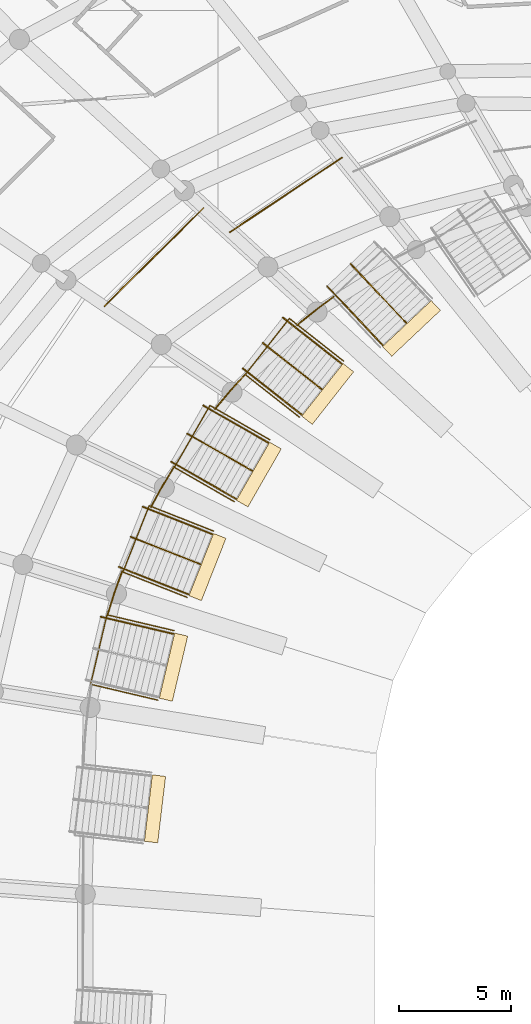
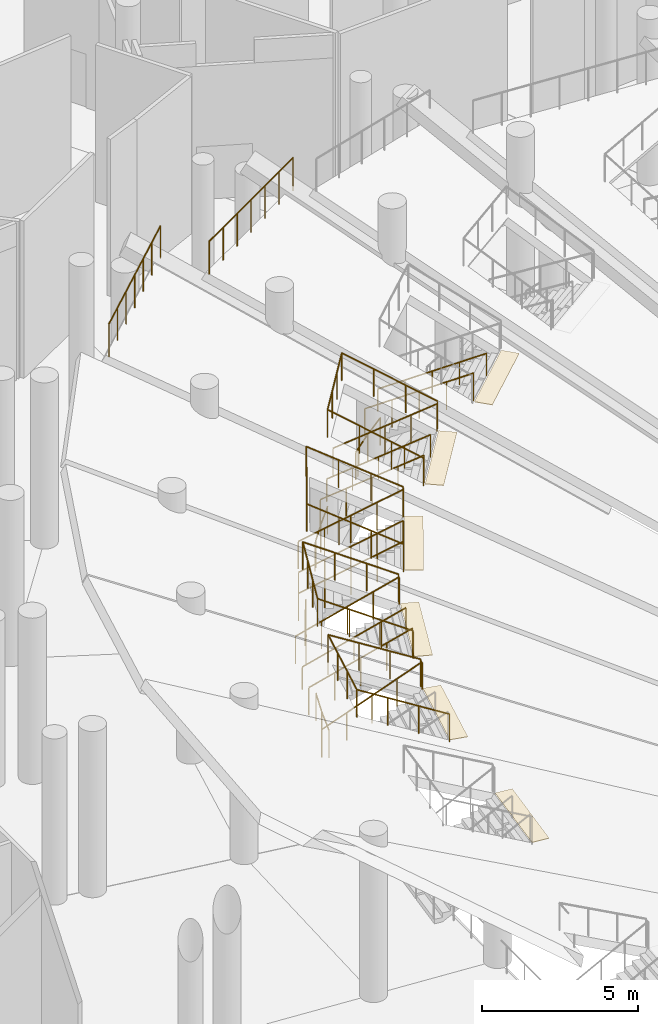
# One storey, part 229 of 255: 22 railings, 6 coverings.
"""IFC4 building model written with IfcOpenShell, lengths in metres."""

from ifc_helpers import new_model, si_unit, direction, frame, origin, origin_2d, place, context, subcontext, project, spatial, rectangle, circle, extrude, material, layer, layer_set, type_object, element, save


model = new_model("IFC4")

# Units and contexts
model_context = context("Model", 3, precision=1e-05, world=origin(), true_north=direction((0.0, 1.0)))
body_context = subcontext(model_context, "Body", "Model", "MODEL_VIEW")
ifc_project = project(units=[si_unit("LENGTHUNIT", "METRE"), si_unit("AREAUNIT", "SQUARE_METRE"), si_unit("VOLUMEUNIT", "CUBIC_METRE"), si_unit("PLANEANGLEUNIT", "RADIAN"), si_unit("MASSUNIT", "GRAM", prefix="KILO")], contexts=[model_context])

# Site, building, storey
site_placement = place(None, origin())
site = spatial("IfcSite", under=ifc_project, at=site_placement, CompositionType="ELEMENT")
building_placement = place(site_placement, origin())
building = spatial("IfcBuilding", under=site, at=building_placement, Name="Meseta Stadium", CompositionType="ELEMENT")
storey_placement = place(building_placement, origin())
storey = spatial("IfcBuildingStorey", under=building, at=storey_placement, Name="L00", CompositionType="ELEMENT", Elevation=0.0)

# Railings
ifc_material_1 = material(Name="Steel S355", Category="steel")
railing_type_1 = type_object("IfcRailingType", Name="Plate edge guard 1100", PredefinedType="GUARDRAIL", material=ifc_material_1)
railing_1_placement = place(storey_placement, frame((-42.8271484375, 67.154296875, 0.0)))
element("IfcRailing", 1, at=railing_1_placement, inside=storey, type_object=railing_type_1, Name="L00 inner edge guard 25", PredefinedType="GUARDRAIL", context=body_context, shape_type="SweptSolid", body=[
    extrude(circle(Radius=0.02490234375, at=origin_2d()), frame((0.0, 0.0, 1.0751953125), z_axis=(-0.802947355475, -0.596049951208, 0.0), x_axis=(0.596049951208, -0.802947355475, 0.0)), (0.0, 0.0, 1.0), 1.000732421875),
    extrude(circle(Radius=0.02490234375, at=origin_2d()), frame((-0.803466796875, -0.596435546875, 1.0751953125), z_axis=(-0.780706207846, -0.624898245341, 0.0), x_axis=(0.624898245341, -0.780706207846, 0.0)), (0.0, 0.0, 1.0), 0.879150390625),
    extrude(circle(Radius=0.02490234375, at=origin_2d()), frame((-1.48974609375, -1.145751953125, 1.0751953125), z_axis=(-0.759865787374, -0.650079983678, 0.0), x_axis=(0.650079983678, -0.759865787374, 0.0)), (0.0, 0.0, 1.0), 0.197998046875),
    extrude(circle(Radius=0.02001953125, at=origin_2d()), origin(), (0.0, 0.0, 1.0), 1.050048828125),
    extrude(circle(Radius=0.02001953125, at=origin_2d()), frame((-0.803466796875, -0.596435546875, 0.0)), (0.0, 0.0, 1.0), 1.050048828125),
    extrude(circle(Radius=0.02001953125, at=origin_2d()), frame((-1.48974609375, -1.145751953125, 0.0)), (0.0, 0.0, 1.0), 1.050048828125),
    extrude(circle(Radius=0.02001953125, at=origin_2d()), frame((-1.64013671875, -1.2744140625, 0.0)), (0.0, 0.0, 1.0), 1.050048828125),
])
railing_2_placement = place(storey_placement, frame((-46.7734375, 63.698486328125, 0.0)))
element("IfcRailing", 2, at=railing_2_placement, inside=storey, type_object=railing_type_1, Name="L00 inner edge guard 26", PredefinedType="GUARDRAIL", context=body_context, shape_type="SweptSolid", body=[
    extrude(circle(Radius=0.02490234375, at=origin_2d()), frame((0.0, 0.0, 1.0751953125), z_axis=(-0.67218256461, -0.740385440047, 0.0), x_axis=(0.740385440047, -0.67218256461, 0.0)), (0.0, 0.0, 1.0), 1.0166015625),
    extrude(circle(Radius=0.02490234375, at=origin_2d()), frame((-0.683349609375, -0.752685546875, 1.0751953125), z_axis=(-0.64414431416, -0.76490398256, 0.0), x_axis=(0.76490398256, -0.64414431416, 0.0)), (0.0, 0.0, 1.0), 0.87744140625),
    extrude(circle(Radius=0.02490234375, at=origin_2d()), frame((-1.24853515625, -1.423828125, 1.0751953125), z_axis=(-0.619198945774, -0.78523414696, 0.0), x_axis=(0.78523414696, -0.619198945774, 0.0)), (0.0, 0.0, 1.0), 0.195556640625),
    extrude(circle(Radius=0.02001953125, at=origin_2d()), origin(), (0.0, 0.0, 1.0), 1.050048828125),
    extrude(circle(Radius=0.02001953125, at=origin_2d()), frame((-0.683349609375, -0.752685546875, 0.0)), (0.0, 0.0, 1.0), 1.050048828125),
    extrude(circle(Radius=0.02001953125, at=origin_2d()), frame((-1.24853515625, -1.423828125, 0.0)), (0.0, 0.0, 1.0), 1.050048828125),
    extrude(circle(Radius=0.02001953125, at=origin_2d()), frame((-1.36962890625, -1.577392578125, 0.0)), (0.0, 0.0, 1.0), 1.050048828125),
])
railing_3_placement = place(storey_placement, frame((-49.970703125, 59.54931640625, 0.0)))
element("IfcRailing", 3, at=railing_3_placement, inside=storey, type_object=railing_type_1, Name="L00 inner edge guard 27", PredefinedType="GUARDRAIL", context=body_context, shape_type="SweptSolid", body=[
    extrude(circle(Radius=0.02490234375, at=origin_2d()), frame((0.0, 0.0, 1.0751953125), z_axis=(-0.515642650874, -0.856803744506, 0.0), x_axis=(0.856803744506, -0.515642650874, 0.0)), (0.0, 0.0, 1.0), 1.03271484375),
    extrude(circle(Radius=0.02490234375, at=origin_2d()), frame((-0.532470703125, -0.884765625, 1.0751953125), z_axis=(-0.478162381039, -0.878271448562, 0.0), x_axis=(0.878271448562, -0.478162381039, 0.0)), (0.0, 0.0, 1.0), 1.066650390625),
    extrude(circle(Radius=0.02001953125, at=origin_2d()), origin(), (0.0, 0.0, 1.0), 1.050048828125),
    extrude(circle(Radius=0.02001953125, at=origin_2d()), frame((-0.532470703125, -0.884765625, 0.0)), (0.0, 0.0, 1.0), 1.050048828125),
    extrude(circle(Radius=0.02001953125, at=origin_2d()), frame((-1.04248046875, -1.821533203125, 0.0)), (0.0, 0.0, 1.0), 1.050048828125),
])
railing_4_placement = place(storey_placement, frame((-52.302001953125, 54.860595703125, 0.0)))
element("IfcRailing", 4, at=railing_4_placement, inside=storey, type_object=railing_type_1, Name="L00 inner edge guard 28", PredefinedType="GUARDRAIL", context=body_context, shape_type="SweptSolid", body=[
    extrude(circle(Radius=0.02490234375, at=origin_2d()), frame((0.0, 0.0, 1.0751953125), z_axis=(-0.339552833225, -0.940586983457, 0.0), x_axis=(0.940586983457, -0.339552833225, 0.0)), (0.0, 0.0, 1.0), 1.047607421875),
    extrude(circle(Radius=0.02490234375, at=origin_2d()), frame((-0.355712890625, -0.9853515625, 1.0751953125), z_axis=(-0.298367036713, -0.954451209546, 0.0), x_axis=(0.954451209546, -0.298367036713, 0.0)), (0.0, 0.0, 1.0), 1.05712890625),
    extrude(circle(Radius=0.02001953125, at=origin_2d()), origin(), (0.0, 0.0, 1.0), 1.050048828125),
    extrude(circle(Radius=0.02001953125, at=origin_2d()), frame((-0.355712890625, -0.9853515625, 0.0)), (0.0, 0.0, 1.0), 1.050048828125),
    extrude(circle(Radius=0.02001953125, at=origin_2d()), frame((-0.671142578125, -1.994384765625, 0.0)), (0.0, 0.0, 1.0), 1.050048828125),
])
ifc_material_2 = material(Name="Steel S355", Category="steel")
railing_type_2 = type_object("IfcRailingType", Name="Stand rear guard 1300", PredefinedType="GUARDRAIL", material=ifc_material_2)
railing_5_placement = place(storey_placement, frame((-42.447265625, 73.399169921875, 6.04638671875)))
element("IfcRailing", 5, at=railing_5_placement, inside=storey, type_object=railing_type_2, Name="Stand lower tier rear guard bay 24", PredefinedType="GUARDRAIL", context=body_context, shape_type="SweptSolid", body=[
    extrude(circle(Radius=0.02490234375, at=origin_2d()), frame((0.0, 0.0, 1.27490234375), z_axis=(-0.829949257802, -0.551191978822, 0.085858208435), x_axis=(0.553234872584, -0.833025315196, 0.0)), (0.0, 0.0, 1.0), 6.0625),
    extrude(circle(Radius=0.02001953125, at=origin_2d()), origin(), (0.0, 0.0, 1.0), 1.25),
    extrude(circle(Radius=0.02001953125, at=origin_2d()), frame((-0.838623046875, -0.556884765625, 0.086669921875)), (0.0, 0.0, 1.0), 1.25),
    extrude(circle(Radius=0.02001953125, at=origin_2d()), frame((-1.67724609375, -1.11376953125, 0.173583984375)), (0.0, 0.0, 1.0), 1.25),
    extrude(circle(Radius=0.02001953125, at=origin_2d()), frame((-2.515625, -1.6708984375, 0.26025390625)), (0.0, 0.0, 1.0), 1.25),
    extrude(circle(Radius=0.02001953125, at=origin_2d()), frame((-3.354248046875, -2.227783203125, 0.346923828125)), (0.0, 0.0, 1.0), 1.25),
    extrude(circle(Radius=0.02001953125, at=origin_2d()), frame((-4.19287109375, -2.78466796875, 0.433837890625)), (0.0, 0.0, 1.0), 1.25),
    extrude(circle(Radius=0.02001953125, at=origin_2d()), frame((-5.031494140625, -3.341552734375, 0.5205078125)), (0.0, 0.0, 1.0), 1.25),
])
railing_6_placement = place(storey_placement, frame((-48.658935546875, 71.137939453125, 6.924072265625)))
element("IfcRailing", 6, at=railing_6_placement, inside=storey, type_object=railing_type_2, Name="Stand lower tier rear guard bay 25", PredefinedType="GUARDRAIL", context=body_context, shape_type="SweptSolid", body=[
    extrude(circle(Radius=0.02490234375, at=origin_2d()), frame((0.0, 0.0, 1.27490234375), z_axis=(-0.709200353402, -0.702182813761, 0.063040897776), x_axis=(0.703582278008, -0.710613803745, 0.0)), (0.0, 0.0, 1.0), 6.26220703125),
    extrude(circle(Radius=0.02001953125, at=origin_2d()), origin(), (0.0, 0.0, 1.0), 1.25),
    extrude(circle(Radius=0.02001953125, at=origin_2d()), frame((-0.740234375, -0.73291015625, 0.06591796875)), (0.0, 0.0, 1.0), 1.25),
    extrude(circle(Radius=0.02001953125, at=origin_2d()), frame((-1.48046875, -1.4658203125, 0.131591796875)), (0.0, 0.0, 1.0), 1.25),
    extrude(circle(Radius=0.02001953125, at=origin_2d()), frame((-2.220703125, -2.19873046875, 0.197265625)), (0.0, 0.0, 1.0), 1.25),
    extrude(circle(Radius=0.02001953125, at=origin_2d()), frame((-2.960693359375, -2.931396484375, 0.26318359375)), (0.0, 0.0, 1.0), 1.25),
    extrude(circle(Radius=0.02001953125, at=origin_2d()), frame((-3.700927734375, -3.664306640625, 0.3291015625)), (0.0, 0.0, 1.0), 1.25),
    extrude(circle(Radius=0.02001953125, at=origin_2d()), frame((-4.441162109375, -4.397216796875, 0.394775390625)), (0.0, 0.0, 1.0), 1.25),
])

# Coverings
ifc_material_3 = material(Name="Stone paving", Category="masonry")
ifc_layer = layer(ifc_material_3, 0.02001953125)
ifc_layer_set = layer_set([ifc_layer], Name="Vomitory exit threshold plate 20")
covering_type = type_object("IfcCoveringType", Name="Vomitory exit threshold plate 20", PredefinedType="FLOORING", material=ifc_layer_set)
for number, where, z_axis, x_axis, name in (
    (7, (-39.334716796875, 65.739013671875, 2.26904296875), (0.0, 0.0, 1.0), (0.686064733008, -0.72754050205, 0.0), "Vomitory V-lower-24 exit threshold"),
    (8, (-43.09228515625, 62.8017578125, 2.21875), (0.0, 0.0, 1.0), (0.786141751877, -0.618046232862, 0.0), "Vomitory V-lower-25 exit threshold"),
    (9, (-46.180908203125, 59.187744140625, 2.168212890625), (0.0, 0.0, 1.0), (0.867711670531, -0.497067859376, 0.0), "Vomitory V-lower-26 exit threshold"),
    (10, (-48.48193359375, 55.041748046875, 2.11767578125), (0.0, 0.0, 1.0), (0.930263326339, -0.366892550576, 0.0), "Vomitory V-lower-27 exit threshold"),
    (11, (-50.00439453125, 50.55224609375, 2.11767578125), (0.0, 0.0, 1.0), (0.973256309483, -0.229721910255, 0.0), "Vomitory V-lower-28 exit threshold"),
    (12, (-50.83349609375, 44.199951171875, 2.228515625), (0.0, 0.0, 1.0), (0.993015017931, -0.117988025512, 0.0), "Vomitory V-lower-29 exit threshold"),
):
    element("IfcCovering", number, at=place(storey_placement, frame(where, z_axis=z_axis, x_axis=x_axis)), inside=storey, type_object=covering_type, Name=name, PredefinedType="FLOORING", context=body_context, shape_type="SweptSolid", body=[
        extrude(rectangle(XDim=0.60009765625, YDim=3.0, at=origin_2d()), origin(), (0.0, 0.0, 1.0), 0.02001953125),
    ])

# Railings
ifc_material_4 = material(Name="Steel S355", Category="steel")
railing_type_3 = type_object("IfcRailingType", Name="Vomitory slot guard 1100", PredefinedType="GUARDRAIL", material=ifc_material_4)
railing_7_placement = place(storey_placement, frame((-44.349609375, 61.7548828125, 2.23876953125)))
element("IfcRailing", 13, at=railing_7_placement, inside=storey, type_object=railing_type_3, Name="Vomitory V-lower-25 slot guard", PredefinedType="GUARDRAIL", context=body_context, shape_type="SweptSolid", body=[
    extrude(circle(Radius=0.02490234375, at=origin_2d()), frame((0.0, 0.0, 1.0751953125), z_axis=(-0.700355252069, 0.550559773891, 0.454297761686), x_axis=(-0.618016316891, -0.786165270193, 0.0)), (0.0, 0.0, 1.0), 3.479736328125),
    extrude(circle(Radius=0.02490234375, at=origin_2d()), frame((-2.43701171875, 1.915771484375, 2.65576171875), z_axis=(0.618057385598, 0.78613298373, 0.0), x_axis=(-0.78613298373, 0.618057385598, 0.0)), (0.0, 0.0, 1.0), 3.199951171875),
    extrude(circle(Radius=0.02490234375, at=origin_2d()), frame((-0.459228515625, 4.431396484375, 2.65576171875), z_axis=(0.700355252069, -0.550559773891, -0.454297761686), x_axis=(0.618016316891, 0.786165270193, 0.0)), (0.0, 0.0, 1.0), 3.479736328125),
    extrude(circle(Radius=0.02001953125, at=origin_2d()), origin(), (0.0, 0.0, 1.0), 1.050048828125),
    extrude(circle(Radius=0.02001953125, at=origin_2d()), frame((-0.812255859375, 0.638671875, 0.52685546875)), (0.0, 0.0, 1.0), 1.050048828125),
    extrude(circle(Radius=0.02001953125, at=origin_2d()), frame((-1.624755859375, 1.277099609375, 1.053955078125)), (0.0, 0.0, 1.0), 1.050048828125),
    extrude(circle(Radius=0.02001953125, at=origin_2d()), frame((-2.43701171875, 1.915771484375, 1.580810546875)), (0.0, 0.0, 1.0), 1.050048828125),
    extrude(circle(Radius=0.02001953125, at=origin_2d()), frame((-1.77783203125, 2.75439453125, 1.580810546875)), (0.0, 0.0, 1.0), 1.050048828125),
    extrude(circle(Radius=0.02001953125, at=origin_2d()), frame((-1.118408203125, 3.5927734375, 1.580810546875)), (0.0, 0.0, 1.0), 1.050048828125),
    extrude(circle(Radius=0.02001953125, at=origin_2d()), frame((-0.459228515625, 4.431396484375, 1.580810546875)), (0.0, 0.0, 1.0), 1.050048828125),
    extrude(circle(Radius=0.02001953125, at=origin_2d()), frame((0.35302734375, 3.792724609375, 1.053955078125)), (0.0, 0.0, 1.0), 1.050048828125),
    extrude(circle(Radius=0.02001953125, at=origin_2d()), frame((1.16552734375, 3.154296875, 0.52685546875)), (0.0, 0.0, 1.0), 1.050048828125),
    extrude(circle(Radius=0.02001953125, at=origin_2d()), frame((1.977783203125, 2.515625, 0.0)), (0.0, 0.0, 1.0), 1.050048828125),
])
railing_8_placement = place(storey_placement, frame((-47.272216796875, 57.968994140625, 2.188232421875)))
element("IfcRailing", 14, at=railing_8_placement, inside=storey, type_object=railing_type_3, Name="Vomitory V-lower-26 slot guard", PredefinedType="GUARDRAIL", context=body_context, shape_type="SweptSolid", body=[
    extrude(circle(Radius=0.02490234375, at=origin_2d()), frame((0.0, 0.0, 1.0751953125), z_axis=(-0.772976524141, 0.442823363621, 0.454328913627), x_axis=(-0.497088522993, -0.867699833069, 0.0)), (0.0, 0.0, 1.0), 3.47998046875),
    extrude(circle(Radius=0.02490234375, at=origin_2d()), frame((-2.68994140625, 1.541015625, 2.65625), z_axis=(0.497124557531, 0.867679188583, 0.0), x_axis=(-0.867679188583, 0.497124557531, 0.0)), (0.0, 0.0, 1.0), 3.199951171875),
    extrude(circle(Radius=0.02490234375, at=origin_2d()), frame((-1.09912109375, 4.317626953125, 2.65625), z_axis=(0.773000537129, -0.442766962227, -0.454343027632), x_axis=(0.49702922619, 0.867733800375, 0.0)), (0.0, 0.0, 1.0), 3.47998046875),
    extrude(circle(Radius=0.02001953125, at=origin_2d()), origin(), (0.0, 0.0, 1.0), 1.050048828125),
    extrude(circle(Radius=0.02001953125, at=origin_2d()), frame((-0.896728515625, 0.513671875, 0.527099609375)), (0.0, 0.0, 1.0), 1.050048828125),
    extrude(circle(Radius=0.02001953125, at=origin_2d()), frame((-1.793212890625, 1.02734375, 1.053955078125)), (0.0, 0.0, 1.0), 1.050048828125),
    extrude(circle(Radius=0.02001953125, at=origin_2d()), frame((-2.68994140625, 1.541015625, 1.5810546875)), (0.0, 0.0, 1.0), 1.050048828125),
    extrude(circle(Radius=0.02001953125, at=origin_2d()), frame((-2.15966796875, 2.466552734375, 1.5810546875)), (0.0, 0.0, 1.0), 1.050048828125),
    extrude(circle(Radius=0.02001953125, at=origin_2d()), frame((-1.62939453125, 3.39208984375, 1.5810546875)), (0.0, 0.0, 1.0), 1.050048828125),
    extrude(circle(Radius=0.02001953125, at=origin_2d()), frame((-1.09912109375, 4.317626953125, 1.5810546875)), (0.0, 0.0, 1.0), 1.050048828125),
    extrude(circle(Radius=0.02001953125, at=origin_2d()), frame((-0.202392578125, 3.803955078125, 1.053955078125)), (0.0, 0.0, 1.0), 1.050048828125),
    extrude(circle(Radius=0.02001953125, at=origin_2d()), frame((0.694091796875, 3.29052734375, 0.527099609375)), (0.0, 0.0, 1.0), 1.050048828125),
    extrude(circle(Radius=0.02001953125, at=origin_2d()), frame((1.5908203125, 2.77685546875, 0.0)), (0.0, 0.0, 1.0), 1.050048828125),
])
railing_9_placement = place(storey_placement, frame((-49.38623046875, 53.678466796875, 2.1376953125)))
element("IfcRailing", 15, at=railing_9_placement, inside=storey, type_object=railing_type_3, Name="Vomitory V-lower-27 slot guard", PredefinedType="GUARDRAIL", context=body_context, shape_type="SweptSolid", body=[
    extrude(circle(Radius=0.02490234375, at=origin_2d()), frame((0.0, 0.0, 1.0751953125), z_axis=(-0.828745013514, 0.326853721998, 0.454255816685), x_axis=(-0.366892194359, -0.93026346683, 0.0)), (0.0, 0.0, 1.0), 3.47998046875),
    extrude(circle(Radius=0.02490234375, at=origin_2d()), frame((-2.884033203125, 1.137451171875, 2.65576171875), z_axis=(0.366926787792, 0.930249822575, 0.0), x_axis=(-0.930249822575, 0.366926787792, 0.0)), (0.0, 0.0, 1.0), 3.19970703125),
    extrude(circle(Radius=0.02490234375, at=origin_2d()), frame((-1.7099609375, 4.114013671875, 2.65576171875), z_axis=(0.828742044114, -0.326810061081, -0.454292646092), x_axis=(0.366850918645, 0.930279744748, 0.0)), (0.0, 0.0, 1.0), 3.479736328125),
    extrude(circle(Radius=0.02001953125, at=origin_2d()), origin(), (0.0, 0.0, 1.0), 1.050048828125),
    extrude(circle(Radius=0.02001953125, at=origin_2d()), frame((-0.96142578125, 0.379150390625, 0.52685546875)), (0.0, 0.0, 1.0), 1.050048828125),
    extrude(circle(Radius=0.02001953125, at=origin_2d()), frame((-1.922607421875, 0.75830078125, 1.053955078125)), (0.0, 0.0, 1.0), 1.050048828125),
    extrude(circle(Radius=0.02001953125, at=origin_2d()), frame((-2.884033203125, 1.137451171875, 1.580810546875)), (0.0, 0.0, 1.0), 1.050048828125),
    extrude(circle(Radius=0.02001953125, at=origin_2d()), frame((-2.49267578125, 2.129638671875, 1.580810546875)), (0.0, 0.0, 1.0), 1.050048828125),
    extrude(circle(Radius=0.02001953125, at=origin_2d()), frame((-2.101318359375, 3.121826171875, 1.580810546875)), (0.0, 0.0, 1.0), 1.050048828125),
    extrude(circle(Radius=0.02001953125, at=origin_2d()), frame((-1.7099609375, 4.114013671875, 1.580810546875)), (0.0, 0.0, 1.0), 1.050048828125),
    extrude(circle(Radius=0.02001953125, at=origin_2d()), frame((-0.748779296875, 3.73486328125, 1.053955078125)), (0.0, 0.0, 1.0), 1.050048828125),
    extrude(circle(Radius=0.02001953125, at=origin_2d()), frame((0.212646484375, 3.35595703125, 0.52685546875)), (0.0, 0.0, 1.0), 1.050048828125),
    extrude(circle(Radius=0.02001953125, at=origin_2d()), frame((1.173828125, 2.976806640625, 0.0)), (0.0, 0.0, 1.0), 1.050048828125),
])
railing_10_placement = place(storey_placement, frame((-50.7041015625, 49.073486328125, 2.1376953125)))
element("IfcRailing", 16, at=railing_10_placement, inside=storey, type_object=railing_type_3, Name="Vomitory V-lower-28 slot guard", PredefinedType="GUARDRAIL", context=body_context, shape_type="SweptSolid", body=[
    extrude(circle(Radius=0.02490234375, at=origin_2d()), frame((0.0, 0.0, 1.0751953125), z_axis=(-0.867031302816, 0.204655309137, 0.454282868242), x_axis=(-0.229728447463, -0.973254766454, 0.0)), (0.0, 0.0, 1.0), 3.479736328125),
    extrude(circle(Radius=0.02490234375, at=origin_2d()), frame((-3.01708984375, 0.712158203125, 2.65576171875), z_axis=(0.229732459273, 0.973253819492, 0.0), x_axis=(-0.973253819492, 0.229732459273, 0.0)), (0.0, 0.0, 1.0), 3.199951171875),
    extrude(circle(Radius=0.02490234375, at=origin_2d()), frame((-2.281982421875, 3.826416015625, 2.65576171875), z_axis=(0.867031302816, -0.204655309137, -0.454282868242), x_axis=(0.229728447463, 0.973254766454, 0.0)), (0.0, 0.0, 1.0), 3.479736328125),
    extrude(circle(Radius=0.02001953125, at=origin_2d()), origin(), (0.0, 0.0, 1.0), 1.050048828125),
    extrude(circle(Radius=0.02001953125, at=origin_2d()), frame((-1.005615234375, 0.2373046875, 0.52685546875)), (0.0, 0.0, 1.0), 1.050048828125),
    extrude(circle(Radius=0.02001953125, at=origin_2d()), frame((-2.011474609375, 0.474853515625, 1.053955078125)), (0.0, 0.0, 1.0), 1.050048828125),
    extrude(circle(Radius=0.02001953125, at=origin_2d()), frame((-3.01708984375, 0.712158203125, 1.580810546875)), (0.0, 0.0, 1.0), 1.050048828125),
    extrude(circle(Radius=0.02001953125, at=origin_2d()), frame((-2.77197265625, 1.750244140625, 1.580810546875)), (0.0, 0.0, 1.0), 1.050048828125),
    extrude(circle(Radius=0.02001953125, at=origin_2d()), frame((-2.527099609375, 2.788330078125, 1.580810546875)), (0.0, 0.0, 1.0), 1.050048828125),
    extrude(circle(Radius=0.02001953125, at=origin_2d()), frame((-2.281982421875, 3.826416015625, 1.580810546875)), (0.0, 0.0, 1.0), 1.050048828125),
    extrude(circle(Radius=0.02001953125, at=origin_2d()), frame((-1.2763671875, 3.589111328125, 1.053955078125)), (0.0, 0.0, 1.0), 1.050048828125),
    extrude(circle(Radius=0.02001953125, at=origin_2d()), frame((-0.2705078125, 3.3515625, 0.52685546875)), (0.0, 0.0, 1.0), 1.050048828125),
    extrude(circle(Radius=0.02001953125, at=origin_2d()), frame((0.735107421875, 3.1142578125, 0.0)), (0.0, 0.0, 1.0), 1.050048828125),
])
ifc_material_5 = material(Name="Steel S355", Category="steel")
railing_type_4 = type_object("IfcRailingType", Name="Vomitory stair guard 1100", PredefinedType="GUARDRAIL", material=ifc_material_5)
railing_11_placement = place(storey_placement, frame((-43.120849609375, 67.640869140625, 0.16357421875)))
element("IfcRailing", 17, at=railing_11_placement, inside=storey, type_object=railing_type_4, Name="Vomitory V-lower-24 guard right", PredefinedType="GUARDRAIL", context=body_context, shape_type="SweptSolid", body=[
    extrude(circle(Radius=0.02490234375, at=origin_2d()), frame((0.0, 0.0, 1.0751953125), z_axis=(0.592444720752, -0.628296053447, 0.504235383602), x_axis=(0.727559755057, 0.686044315494, 0.0)), (0.0, 0.0, 1.0), 4.21533203125),
    extrude(circle(Radius=0.02001953125, at=origin_2d()), origin(), (0.0, 0.0, 1.0), 1.050048828125),
    extrude(circle(Radius=0.02001953125, at=origin_2d()), frame((0.624267578125, -0.662109375, 0.53125)), (0.0, 0.0, 1.0), 1.050048828125),
    extrude(circle(Radius=0.02001953125, at=origin_2d()), frame((1.24853515625, -1.32421875, 1.062744140625)), (0.0, 0.0, 1.0), 1.050048828125),
    extrude(circle(Radius=0.02001953125, at=origin_2d()), frame((1.873046875, -1.986328125, 1.59423828125)), (0.0, 0.0, 1.0), 1.050048828125),
    extrude(circle(Radius=0.02001953125, at=origin_2d()), frame((2.497314453125, -2.6484375, 2.12548828125)), (0.0, 0.0, 1.0), 1.050048828125),
])
for number, where, name in (
    (18, (-45.10595703125, 66.229248046875, 0.172119140625), "Vomitory V-lower-25 guard left"),
    (19, (-46.898193359375, 63.949462890625, 0.172119140625), "Vomitory V-lower-25 guard right"),
):
    element("IfcRailing", number, at=place(storey_placement, frame(where)), inside=storey, type_object=railing_type_4, Name=name, PredefinedType="GUARDRAIL", context=body_context, shape_type="SweptSolid", body=[
        extrude(circle(Radius=0.02490234375, at=origin_2d()), frame((0.0, 0.0, 1.0751953125), z_axis=(0.669603580808, -0.526448660537, 0.523911111151), x_axis=(0.61806220124, 0.78612919765, 0.0)), (0.0, 0.0, 1.0), 3.944580078125),
        extrude(circle(Radius=0.02001953125, at=origin_2d()), origin(), (0.0, 0.0, 1.0), 1.050048828125),
        extrude(circle(Radius=0.02001953125, at=origin_2d()), frame((0.660400390625, -0.51904296875, 0.5166015625)), (0.0, 0.0, 1.0), 1.050048828125),
        extrude(circle(Radius=0.02001953125, at=origin_2d()), frame((1.32080078125, -1.038330078125, 1.033203125)), (0.0, 0.0, 1.0), 1.050048828125),
        extrude(circle(Radius=0.02001953125, at=origin_2d()), frame((1.98095703125, -1.5576171875, 1.550048828125)), (0.0, 0.0, 1.0), 1.050048828125),
        extrude(circle(Radius=0.02001953125, at=origin_2d()), frame((2.641357421875, -2.07666015625, 2.066650390625)), (0.0, 0.0, 1.0), 1.050048828125),
    ])
for number, where, name in (
    (20, (-48.671630859375, 62.28564453125, 0.168212890625), "Vomitory V-lower-26 guard left"),
    (21, (-50.113037109375, 59.769287109375, 0.168212890625), "Vomitory V-lower-26 guard right"),
):
    element("IfcRailing", number, at=place(storey_placement, frame(where)), inside=storey, type_object=railing_type_4, Name=name, PredefinedType="GUARDRAIL", context=body_context, shape_type="SweptSolid", body=[
        extrude(circle(Radius=0.02490234375, at=origin_2d()), frame((0.0, 0.0, 1.0751953125), z_axis=(0.743664228434, -0.426009628765, 0.515246845257), x_axis=(0.497069824049, 0.867710545066, 0.0)), (0.0, 0.0, 1.0), 3.92041015625),
        extrude(circle(Radius=0.02001953125, at=origin_2d()), origin(), (0.0, 0.0, 1.0), 1.050048828125),
        extrude(circle(Radius=0.02001953125, at=origin_2d()), frame((0.72900390625, -0.41748046875, 0.5048828125)), (0.0, 0.0, 1.0), 1.050048828125),
        extrude(circle(Radius=0.02001953125, at=origin_2d()), frame((1.457763671875, -0.8349609375, 1.010009765625)), (0.0, 0.0, 1.0), 1.050048828125),
        extrude(circle(Radius=0.02001953125, at=origin_2d()), frame((2.1865234375, -1.252685546875, 1.51513671875)), (0.0, 0.0, 1.0), 1.050048828125),
        extrude(circle(Radius=0.02001953125, at=origin_2d()), frame((2.91552734375, -1.670166015625, 2.02001953125)), (0.0, 0.0, 1.0), 1.050048828125),
    ])
railing_12_placement = place(storey_placement, frame((-51.39306640625, 57.74853515625, 0.164306640625)))
element("IfcRailing", 22, at=railing_12_placement, inside=storey, type_object=railing_type_4, Name="Vomitory V-lower-27 guard left", PredefinedType="GUARDRAIL", context=body_context, shape_type="SweptSolid", body=[
    extrude(circle(Radius=0.02490234375, at=origin_2d()), frame((0.0, 0.0, 1.0751953125), z_axis=(0.802141657054, -0.31639579537, 0.50642123049), x_axis=(0.366926648548, 0.930249877498, 0.0)), (0.0, 0.0, 1.0), 3.896728515625),
    extrude(circle(Radius=0.02001953125, at=origin_2d()), origin(), (0.0, 0.0, 1.0), 1.050048828125),
    extrude(circle(Radius=0.02001953125, at=origin_2d()), frame((0.781494140625, -0.30810546875, 0.493408203125)), (0.0, 0.0, 1.0), 1.050048828125),
    extrude(circle(Radius=0.02001953125, at=origin_2d()), frame((1.56298828125, -0.616455078125, 0.98681640625)), (0.0, 0.0, 1.0), 1.050048828125),
    extrude(circle(Radius=0.02001953125, at=origin_2d()), frame((2.34423828125, -0.9248046875, 1.47998046875)), (0.0, 0.0, 1.0), 1.050048828125),
    extrude(circle(Radius=0.02001953125, at=origin_2d()), frame((3.125732421875, -1.23291015625, 1.973388671875)), (0.0, 0.0, 1.0), 1.050048828125),
])
railing_13_placement = place(storey_placement, frame((-52.45703125, 55.05078125, 0.164306640625)))
element("IfcRailing", 23, at=railing_13_placement, inside=storey, type_object=railing_type_4, Name="Vomitory V-lower-27 guard right", PredefinedType="GUARDRAIL", context=body_context, shape_type="SweptSolid", body=[
    extrude(circle(Radius=0.02490234375, at=origin_2d()), frame((0.0, 0.0, 1.0751953125), z_axis=(0.80215755683, -0.316339412984, 0.506431268598), x_axis=(0.366863769713, 0.930274676895, 0.0)), (0.0, 0.0, 1.0), 3.896728515625),
    extrude(circle(Radius=0.02001953125, at=origin_2d()), origin(), (0.0, 0.0, 1.0), 1.050048828125),
    extrude(circle(Radius=0.02001953125, at=origin_2d()), frame((0.781494140625, -0.30810546875, 0.493408203125)), (0.0, 0.0, 1.0), 1.050048828125),
    extrude(circle(Radius=0.02001953125, at=origin_2d()), frame((1.56298828125, -0.6162109375, 0.98681640625)), (0.0, 0.0, 1.0), 1.050048828125),
    extrude(circle(Radius=0.02001953125, at=origin_2d()), frame((2.34423828125, -0.924560546875, 1.47998046875)), (0.0, 0.0, 1.0), 1.050048828125),
    extrude(circle(Radius=0.02001953125, at=origin_2d()), frame((3.125732421875, -1.232666015625, 1.973388671875)), (0.0, 0.0, 1.0), 1.050048828125),
])
railing_14_placement = place(storey_placement, frame((-53.2734375, 52.813720703125, 0.164306640625)))
element("IfcRailing", 24, at=railing_14_placement, inside=storey, type_object=railing_type_4, Name="Vomitory V-lower-28 guard left", PredefinedType="GUARDRAIL", context=body_context, shape_type="SweptSolid", body=[
    extrude(circle(Radius=0.02490234375, at=origin_2d()), frame((0.0, 0.0, 1.0751953125), z_axis=(0.839205318068, -0.198116112866, 0.50644292862), x_axis=(0.229760182467, 0.973247275132, 0.0)), (0.0, 0.0, 1.0), 3.896484375),
    extrude(circle(Radius=0.02001953125, at=origin_2d()), origin(), (0.0, 0.0, 1.0), 1.050048828125),
    extrude(circle(Radius=0.02001953125, at=origin_2d()), frame((0.8173828125, -0.19287109375, 0.493408203125)), (0.0, 0.0, 1.0), 1.050048828125),
    extrude(circle(Radius=0.02001953125, at=origin_2d()), frame((1.635009765625, -0.385986328125, 0.98681640625)), (0.0, 0.0, 1.0), 1.050048828125),
    extrude(circle(Radius=0.02001953125, at=origin_2d()), frame((2.45263671875, -0.5791015625, 1.47998046875)), (0.0, 0.0, 1.0), 1.050048828125),
    extrude(circle(Radius=0.02001953125, at=origin_2d()), frame((3.27001953125, -0.77197265625, 1.973388671875)), (0.0, 0.0, 1.0), 1.050048828125),
])
ifc_material_6 = material(Name="Steel S355", Category="steel")
railing_type_5 = type_object("IfcRailingType", Name="Vomitory stair handrail 900", PredefinedType="HANDRAIL", material=ifc_material_6)
railing_15_placement = place(storey_placement, frame((-42.06591796875, 68.635498046875, 0.16357421875)))
element("IfcRailing", 25, at=railing_15_placement, inside=storey, type_object=railing_type_5, Name="Vomitory V-lower-24 central handrail", PredefinedType="HANDRAIL", context=body_context, shape_type="SweptSolid", body=[
    extrude(circle(Radius=0.02490234375, at=origin_2d()), frame((0.0, 0.0, 0.875), z_axis=(0.592466279846, -0.628260996919, 0.504253732754), x_axis=(0.727528186472, 0.686077792885, 0.0)), (0.0, 0.0, 1.0), 4.215087890625),
    extrude(circle(Radius=0.02001953125, at=origin_2d()), origin(), (0.0, 0.0, 1.0), 0.849853515625),
    extrude(circle(Radius=0.02001953125, at=origin_2d()), frame((0.624267578125, -0.662109375, 0.53125)), (0.0, 0.0, 1.0), 0.849853515625),
    extrude(circle(Radius=0.02001953125, at=origin_2d()), frame((1.24853515625, -1.32421875, 1.062744140625)), (0.0, 0.0, 1.0), 0.849853515625),
    extrude(circle(Radius=0.02001953125, at=origin_2d()), frame((1.873046875, -1.986083984375, 1.59423828125)), (0.0, 0.0, 1.0), 0.849853515625),
    extrude(circle(Radius=0.02001953125, at=origin_2d()), frame((2.497314453125, -2.648193359375, 2.12548828125)), (0.0, 0.0, 1.0), 0.849853515625),
])
railing_16_placement = place(storey_placement, frame((-46.002197265625, 65.08935546875, 0.172119140625)))
element("IfcRailing", 26, at=railing_16_placement, inside=storey, type_object=railing_type_5, Name="Vomitory V-lower-25 central handrail", PredefinedType="HANDRAIL", context=body_context, shape_type="SweptSolid", body=[
    extrude(circle(Radius=0.02490234375, at=origin_2d()), frame((0.0, 0.0, 0.875), z_axis=(0.66963771993, -0.526426843413, 0.523889399188), x_axis=(0.618026897901, 0.786156952186, 0.0)), (0.0, 0.0, 1.0), 3.94482421875),
    extrude(circle(Radius=0.02001953125, at=origin_2d()), origin(), (0.0, 0.0, 1.0), 0.849853515625),
    extrude(circle(Radius=0.02001953125, at=origin_2d()), frame((0.660400390625, -0.51904296875, 0.5166015625)), (0.0, 0.0, 1.0), 0.849853515625),
    extrude(circle(Radius=0.02001953125, at=origin_2d()), frame((1.32080078125, -1.038330078125, 1.033203125)), (0.0, 0.0, 1.0), 0.849853515625),
    extrude(circle(Radius=0.02001953125, at=origin_2d()), frame((1.981201171875, -1.5576171875, 1.550048828125)), (0.0, 0.0, 1.0), 0.849853515625),
    extrude(circle(Radius=0.02001953125, at=origin_2d()), frame((2.6416015625, -2.07666015625, 2.066650390625)), (0.0, 0.0, 1.0), 0.849853515625),
])
railing_17_placement = place(storey_placement, frame((-49.392333984375, 61.027587890625, 0.168212890625)))
element("IfcRailing", 27, at=railing_17_placement, inside=storey, type_object=railing_type_5, Name="Vomitory V-lower-26 central handrail", PredefinedType="HANDRAIL", context=body_context, shape_type="SweptSolid", body=[
    extrude(circle(Radius=0.02490234375, at=origin_2d()), frame((0.0, 0.0, 0.875), z_axis=(0.743664228434, -0.426009628765, 0.515246845257), x_axis=(0.497069824049, 0.867710545066, 0.0)), (0.0, 0.0, 1.0), 3.92041015625),
    extrude(circle(Radius=0.02001953125, at=origin_2d()), origin(), (0.0, 0.0, 1.0), 0.849853515625),
    extrude(circle(Radius=0.02001953125, at=origin_2d()), frame((0.72900390625, -0.41748046875, 0.5048828125)), (0.0, 0.0, 1.0), 0.849853515625),
    extrude(circle(Radius=0.02001953125, at=origin_2d()), frame((1.457763671875, -0.8349609375, 1.010009765625)), (0.0, 0.0, 1.0), 0.849853515625),
    extrude(circle(Radius=0.02001953125, at=origin_2d()), frame((2.1865234375, -1.252685546875, 1.51513671875)), (0.0, 0.0, 1.0), 0.849853515625),
    extrude(circle(Radius=0.02001953125, at=origin_2d()), frame((2.91552734375, -1.670166015625, 2.02001953125)), (0.0, 0.0, 1.0), 0.849853515625),
])
railing_18_placement = place(storey_placement, frame((-51.925048828125, 56.399658203125, 0.164306640625)))
element("IfcRailing", 28, at=railing_18_placement, inside=storey, type_object=railing_type_5, Name="Vomitory V-lower-27 central handrail", PredefinedType="HANDRAIL", context=body_context, shape_type="SweptSolid", body=[
    extrude(circle(Radius=0.02490234375, at=origin_2d()), frame((0.0, 0.0, 0.875), z_axis=(0.80215755683, -0.316339412984, 0.506431268598), x_axis=(0.366863769713, 0.930274676895, 0.0)), (0.0, 0.0, 1.0), 3.896728515625),
    extrude(circle(Radius=0.02001953125, at=origin_2d()), origin(), (0.0, 0.0, 1.0), 0.849853515625),
    extrude(circle(Radius=0.02001953125, at=origin_2d()), frame((0.781494140625, -0.30810546875, 0.493408203125)), (0.0, 0.0, 1.0), 0.849853515625),
    extrude(circle(Radius=0.02001953125, at=origin_2d()), frame((1.56298828125, -0.6162109375, 0.98681640625)), (0.0, 0.0, 1.0), 0.849853515625),
    extrude(circle(Radius=0.02001953125, at=origin_2d()), frame((2.34423828125, -0.924560546875, 1.47998046875)), (0.0, 0.0, 1.0), 0.849853515625),
    extrude(circle(Radius=0.02001953125, at=origin_2d()), frame((3.125732421875, -1.232666015625, 1.973388671875)), (0.0, 0.0, 1.0), 0.849853515625),
])

save(model, "model.ifc")
